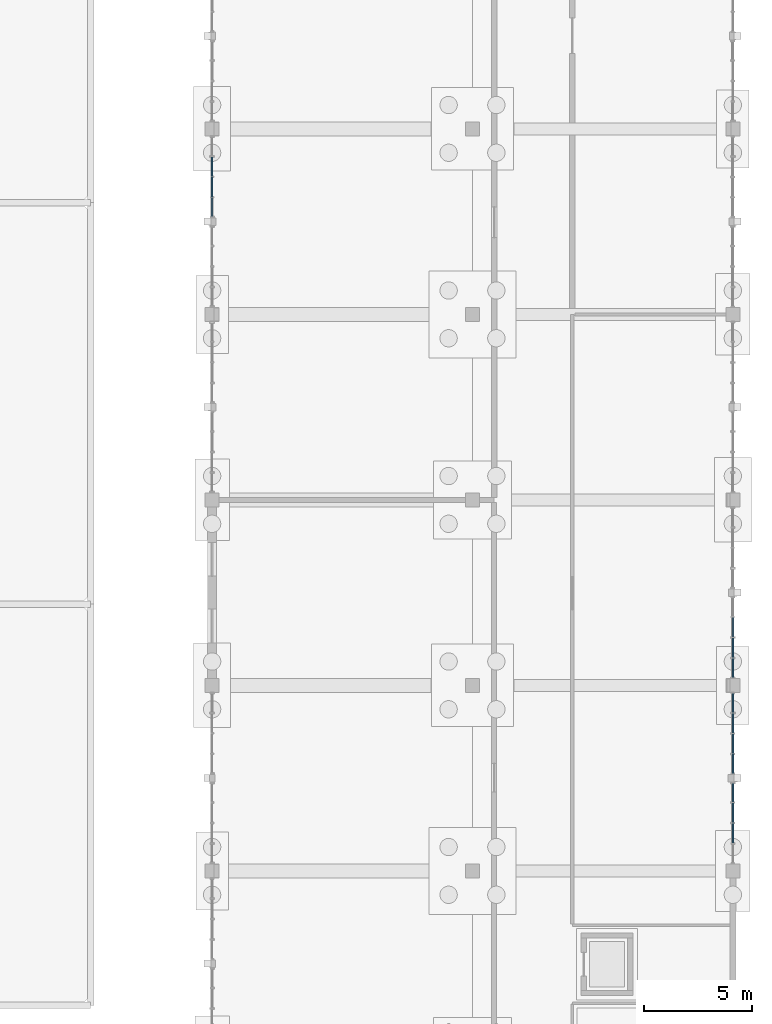
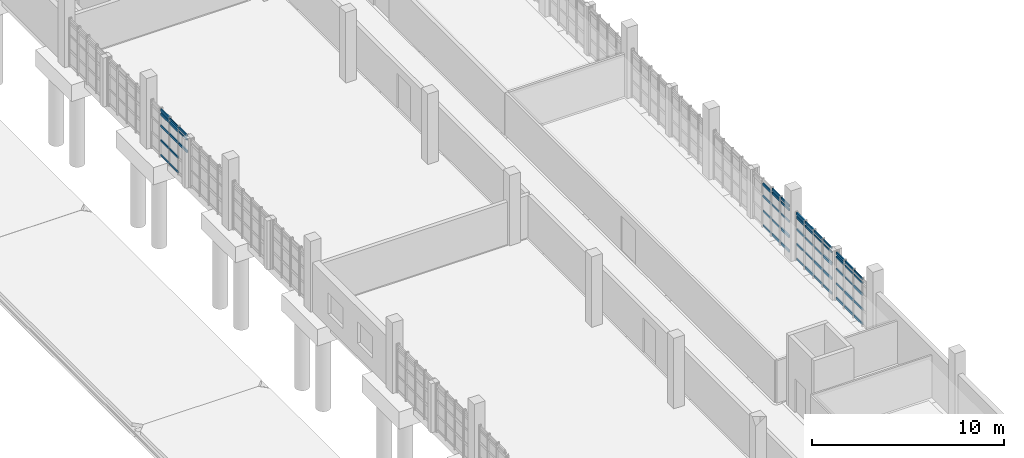
# One storey, part 73 of 125: 62 members, 4 elements without a shape of their own.
"""IFC4 building model written with IfcOpenShell, lengths in metres."""

from ifc_helpers import new_model, si_unit, direction, frame, origin, origin_2d, place, context, subcontext, project, spatial, rectangle, extrude, material, material_profile, profile_set, type_object, element, aggregate, save


model = new_model("IFC4")

# Units and contexts
model_context = context("Model", 3, precision=1e-05, world=origin(), true_north=direction((0.0, 1.0)))
body_context = subcontext(model_context, "Body", "Model", "MODEL_VIEW")
ifc_project = project(units=[si_unit("LENGTHUNIT", "METRE"), si_unit("AREAUNIT", "SQUARE_METRE"), si_unit("VOLUMEUNIT", "CUBIC_METRE"), si_unit("PLANEANGLEUNIT", "RADIAN"), si_unit("MASSUNIT", "GRAM", prefix="KILO")], contexts=[model_context])

# Site, building, storey
site_placement = place(None, origin())
site = spatial("IfcSite", under=ifc_project, at=site_placement, CompositionType="ELEMENT")
building_placement = place(site_placement, origin())
building = spatial("IfcBuilding", under=site, at=building_placement, Name="Serraforn Aerial Cableway Station", CompositionType="ELEMENT")
storey_placement = place(building_placement, frame((0.0, 0.0, 4.5)))
storey = spatial("IfcBuildingStorey", under=building, at=storey_placement, Name="L01", CompositionType="ELEMENT", Elevation=4.5)

# Curtain wall, members
ifc_material_1 = material(Name="Anodised bronze unitised curtain wall")
curtain_wall_type_1 = type_object("IfcCurtainWallType", Name="CW-SYS-7", PredefinedType="USERDEFINED", material=ifc_material_1)
curtain_wall_1_placement = place(storey_placement, origin())
curtain_wall_1 = element("IfcCurtainWall", 1, at=curtain_wall_1_placement, inside=storey, type_object=curtain_wall_type_1, Name="Unitised Curtain Wall CW-EG-L01-E3A", ObjectType="UNITISED CURTAIN WALL", PredefinedType="USERDEFINED")
ifc_material_2 = material(Name="Anodised bronze extruded aluminium", Category="aluminium")
ifc_material_profile_1 = material_profile(ifc_material_2, rectangle(XDim=0.054931640625, YDim=0.110107421875, at=origin_2d()), Name="CW TRANSOM 55x110")
ifc_profile_set_1 = profile_set([ifc_material_profile_1], Name="Anodised bronze extruded aluminium")
member_type_1 = type_object("IfcMemberType", Name="CW-TRN-1", PredefinedType="USERDEFINED", material=ifc_profile_set_1)
member_1_placement = place(storey_placement, frame((168.0, 63.993896484375, 2.74560546875), z_axis=(0.0, 1.0, 0.0), x_axis=(-1.0, 0.0, 0.0)))
member_1 = element("IfcMember", 2, at=member_1_placement, type_object=member_type_1, Name="Curtain Wall Transom CW-EG-L01-E3A-T2-4", ObjectType="TRANSOM", PredefinedType="USERDEFINED", context=body_context, shape_type="SweptSolid", body=[
    extrude(rectangle(XDim=0.054931640625, YDim=0.110107421875, at=origin_2d()), origin(), (0.0, 0.0, 1.0), 0.884521484375),
])
member_2_placement = place(storey_placement, frame((168.0, 64.939453125, 1.996826171875), z_axis=(0.0, 1.0, 0.0), x_axis=(-1.0, 0.0, 0.0)))
member_2 = element("IfcMember", 3, at=member_2_placement, type_object=member_type_1, Name="Curtain Wall Transom CW-EG-L01-E3A-T3-3", ObjectType="TRANSOM", PredefinedType="USERDEFINED", context=body_context, shape_type="SweptSolid", body=[
    extrude(rectangle(XDim=0.054931640625, YDim=0.110107421875, at=origin_2d()), origin(), (0.0, 0.0, 1.0), 0.879638671875),
])
member_3_placement = place(storey_placement, frame((168.0, 65.885009765625, 1.060791015625), z_axis=(0.0, 1.0, 0.0), x_axis=(-1.0, 0.0, 0.0)))
member_3 = element("IfcMember", 4, at=member_3_placement, type_object=member_type_1, Name="Curtain Wall Transom CW-EG-L01-E3A-T4-2", ObjectType="TRANSOM", PredefinedType="USERDEFINED", context=body_context, shape_type="SweptSolid", body=[
    extrude(rectangle(XDim=0.054931640625, YDim=0.110107421875, at=origin_2d()), origin(), (0.0, 0.0, 1.0), 0.8369140625),
])

curtain_wall_type_2 = type_object("IfcCurtainWallType", Name="CW-SYS-8", PredefinedType="USERDEFINED", material=ifc_material_1)
curtain_wall_2_placement = place(storey_placement, origin())
curtain_wall_2 = element("IfcCurtainWall", 5, at=curtain_wall_2_placement, inside=storey, type_object=curtain_wall_type_2, Name="Unitised Curtain Wall CW-EG-L01-E3B", ObjectType="UNITISED CURTAIN WALL", PredefinedType="USERDEFINED")
member_4_placement = place(storey_placement, frame((168.0, 67.212890625, 2.74560546875), z_axis=(0.0, 1.0, 0.0), x_axis=(-1.0, 0.0, 0.0)))
member_4 = element("IfcMember", 6, at=member_4_placement, type_object=member_type_1, Name="Curtain Wall Transom CW-EG-L01-E3B-T1-4", ObjectType="TRANSOM", PredefinedType="USERDEFINED", context=body_context, shape_type="SweptSolid", body=[
    extrude(rectangle(XDim=0.054931640625, YDim=0.110107421875, at=origin_2d()), origin(), (0.0, 0.0, 1.0), 0.8544921875),
])
member_5_placement = place(storey_placement, frame((168.0, 68.12841796875, 1.996826171875), z_axis=(0.0, 1.0, 0.0), x_axis=(-1.0, 0.0, 0.0)))
member_5 = element("IfcMember", 7, at=member_5_placement, type_object=member_type_1, Name="Curtain Wall Transom CW-EG-L01-E3B-T2-3", ObjectType="TRANSOM", PredefinedType="USERDEFINED", context=body_context, shape_type="SweptSolid", body=[
    extrude(rectangle(XDim=0.054931640625, YDim=0.110107421875, at=origin_2d()), origin(), (0.0, 0.0, 1.0), 0.879638671875),
])
member_6_placement = place(storey_placement, frame((168.0, 69.073974609375, 1.060791015625), z_axis=(0.0, 1.0, 0.0), x_axis=(-1.0, 0.0, 0.0)))
member_6 = element("IfcMember", 8, at=member_6_placement, type_object=member_type_1, Name="Curtain Wall Transom CW-EG-L01-E3B-T3-2", ObjectType="TRANSOM", PredefinedType="USERDEFINED", context=body_context, shape_type="SweptSolid", body=[
    extrude(rectangle(XDim=0.054931640625, YDim=0.110107421875, at=origin_2d()), origin(), (0.0, 0.0, 1.0), 0.87451171875),
])
member_7_placement = place(storey_placement, frame((168.0, 70.01953125, 0.124755859375), z_axis=(0.0, 1.0, 0.0), x_axis=(-1.0, 0.0, 0.0)))
member_7 = element("IfcMember", 9, at=member_7_placement, type_object=member_type_1, Name="Curtain Wall Transom CW-EG-L01-E3B-T4-1", ObjectType="TRANSOM", PredefinedType="USERDEFINED", context=body_context, shape_type="SweptSolid", body=[
    extrude(rectangle(XDim=0.054931640625, YDim=0.110107421875, at=origin_2d()), origin(), (0.0, 0.0, 1.0), 0.8544921875),
])

curtain_wall_type_3 = type_object("IfcCurtainWallType", Name="CW-SYS-9", PredefinedType="USERDEFINED", material=ifc_material_1)
curtain_wall_3_placement = place(storey_placement, origin())
curtain_wall_3 = element("IfcCurtainWall", 10, at=curtain_wall_3_placement, inside=storey, type_object=curtain_wall_type_3, Name="Unitised Curtain Wall CW-EG-L01-E4A", ObjectType="UNITISED CURTAIN WALL", PredefinedType="USERDEFINED")
member_8_placement = place(storey_placement, frame((168.0, 71.635986328125, 1.996826171875), z_axis=(0.0, 1.0, 0.0), x_axis=(-1.0, 0.0, 0.0)))
member_8 = element("IfcMember", 11, at=member_8_placement, type_object=member_type_1, Name="Curtain Wall Transom CW-EG-L01-E4A-T1-3", ObjectType="TRANSOM", PredefinedType="USERDEFINED", context=body_context, shape_type="SweptSolid", body=[
    extrude(rectangle(XDim=0.054931640625, YDim=0.110107421875, at=origin_2d()), origin(), (0.0, 0.0, 1.0), 0.846923828125),
])
member_9_placement = place(storey_placement, frame((168.0, 72.549072265625, 1.060791015625), z_axis=(0.0, 1.0, 0.0), x_axis=(-1.0, 0.0, 0.0)))
member_9 = element("IfcMember", 12, at=member_9_placement, type_object=member_type_1, Name="Curtain Wall Transom CW-EG-L01-E4A-T2-2", ObjectType="TRANSOM", PredefinedType="USERDEFINED", context=body_context, shape_type="SweptSolid", body=[
    extrude(rectangle(XDim=0.054931640625, YDim=0.110107421875, at=origin_2d()), origin(), (0.0, 0.0, 1.0), 0.87451171875),
])
member_10_placement = place(storey_placement, frame((168.0, 73.494384765625, 0.124755859375), z_axis=(0.0, 1.0, 0.0), x_axis=(-1.0, 0.0, 0.0)))
member_10 = element("IfcMember", 13, at=member_10_placement, type_object=member_type_1, Name="Curtain Wall Transom CW-EG-L01-E4A-T3-1", ObjectType="TRANSOM", PredefinedType="USERDEFINED", context=body_context, shape_type="SweptSolid", body=[
    extrude(rectangle(XDim=0.054931640625, YDim=0.110107421875, at=origin_2d()), origin(), (0.0, 0.0, 1.0), 0.882080078125),
])

curtain_wall_type_4 = type_object("IfcCurtainWallType", Name="CW-SYS-15", PredefinedType="USERDEFINED", material=ifc_material_1)
curtain_wall_4_placement = place(storey_placement, origin())
curtain_wall_4 = element("IfcCurtainWall", 14, at=curtain_wall_4_placement, inside=storey, type_object=curtain_wall_type_4, Name="Unitised Curtain Wall CW-EG-L01-W6A", ObjectType="UNITISED CURTAIN WALL", PredefinedType="USERDEFINED")
member_11_placement = place(storey_placement, frame((144.0, 95.598388671875, 0.124755859375), z_axis=(0.0, -1.0, 0.0), x_axis=(1.0, 0.0, 0.0)))
member_11 = element("IfcMember", 15, at=member_11_placement, type_object=member_type_1, Name="Curtain Wall Transom CW-EG-L01-W6A-T2-1", ObjectType="TRANSOM", PredefinedType="USERDEFINED", context=body_context, shape_type="SweptSolid", body=[
    extrude(rectangle(XDim=0.054931640625, YDim=0.110107421875, at=origin_2d()), origin(), (0.0, 0.0, 1.0), 0.8818359375),
])
member_12_placement = place(storey_placement, frame((144.0, 94.66552734375, 2.9951171875), z_axis=(0.0, -1.0, 0.0), x_axis=(1.0, 0.0, 0.0)))
member_12 = element("IfcMember", 16, at=member_12_placement, type_object=member_type_1, Name="Curtain Wall Transom CW-EG-L01-W6A-T3-5", ObjectType="TRANSOM", PredefinedType="USERDEFINED", context=body_context, shape_type="SweptSolid", body=[
    extrude(rectangle(XDim=0.054931640625, YDim=0.110107421875, at=origin_2d()), origin(), (0.0, 0.0, 1.0), 0.8896484375),
])
member_13_placement = place(storey_placement, frame((144.0, 93.719970703125, 2.74560546875), z_axis=(0.0, -1.0, 0.0), x_axis=(1.0, 0.0, 0.0)))
member_13 = element("IfcMember", 17, at=member_13_placement, type_object=member_type_1, Name="Curtain Wall Transom CW-EG-L01-W6A-T4-4", ObjectType="TRANSOM", PredefinedType="USERDEFINED", context=body_context, shape_type="SweptSolid", body=[
    extrude(rectangle(XDim=0.054931640625, YDim=0.110107421875, at=origin_2d()), origin(), (0.0, 0.0, 1.0), 0.85205078125),
])

# Member
ifc_material_profile_2 = material_profile(ifc_material_2, rectangle(XDim=0.06005859375, YDim=0.1201171875, at=origin_2d()), Name="CW TRANSOM 60x120")
ifc_profile_set_2 = profile_set([ifc_material_profile_2], Name="Anodised bronze extruded aluminium")
member_type_2 = type_object("IfcMemberType", Name="CW-TRN-2", PredefinedType="USERDEFINED", material=ifc_profile_set_2)
member_14_placement = place(storey_placement, frame((168.0, 63.993896484375, 2.9951171875), z_axis=(0.0, 1.0, 0.0), x_axis=(-1.0, 0.0, 0.0)))
member_14 = element("IfcMember", 18, at=member_14_placement, type_object=member_type_2, Name="Curtain Wall Transom CW-EG-L01-E3A-T2-5", ObjectType="TRANSOM", PredefinedType="USERDEFINED", context=body_context, shape_type="SweptSolid", body=[
    extrude(rectangle(XDim=0.06005859375, YDim=0.1201171875, at=origin_2d()), origin(), (0.0, 0.0, 1.0), 0.884521484375),
])

member_15_placement = place(storey_placement, frame((168.0, 64.939453125, 2.74560546875), z_axis=(0.0, 1.0, 0.0), x_axis=(-1.0, 0.0, 0.0)))
member_15 = element("IfcMember", 19, at=member_15_placement, type_object=member_type_2, Name="Curtain Wall Transom CW-EG-L01-E3A-T3-4", ObjectType="TRANSOM", PredefinedType="USERDEFINED", context=body_context, shape_type="SweptSolid", body=[
    extrude(rectangle(XDim=0.06005859375, YDim=0.1201171875, at=origin_2d()), origin(), (0.0, 0.0, 1.0), 0.879638671875),
])

member_16_placement = place(storey_placement, frame((168.0, 65.885009765625, 1.996826171875), z_axis=(0.0, 1.0, 0.0), x_axis=(-1.0, 0.0, 0.0)))
member_16 = element("IfcMember", 20, at=member_16_placement, type_object=member_type_2, Name="Curtain Wall Transom CW-EG-L01-E3A-T4-3", ObjectType="TRANSOM", PredefinedType="USERDEFINED", context=body_context, shape_type="SweptSolid", body=[
    extrude(rectangle(XDim=0.06005859375, YDim=0.1201171875, at=origin_2d()), origin(), (0.0, 0.0, 1.0), 0.8369140625),
])

member_17_placement = place(storey_placement, frame((168.0, 67.212890625, 2.9951171875), z_axis=(0.0, 1.0, 0.0), x_axis=(-1.0, 0.0, 0.0)))
member_17 = element("IfcMember", 21, at=member_17_placement, type_object=member_type_2, Name="Curtain Wall Transom CW-EG-L01-E3B-T1-5", ObjectType="TRANSOM", PredefinedType="USERDEFINED", context=body_context, shape_type="SweptSolid", body=[
    extrude(rectangle(XDim=0.06005859375, YDim=0.1201171875, at=origin_2d()), origin(), (0.0, 0.0, 1.0), 0.8544921875),
])

member_18_placement = place(storey_placement, frame((168.0, 68.12841796875, 2.74560546875), z_axis=(0.0, 1.0, 0.0), x_axis=(-1.0, 0.0, 0.0)))
member_18 = element("IfcMember", 22, at=member_18_placement, type_object=member_type_2, Name="Curtain Wall Transom CW-EG-L01-E3B-T2-4", ObjectType="TRANSOM", PredefinedType="USERDEFINED", context=body_context, shape_type="SweptSolid", body=[
    extrude(rectangle(XDim=0.06005859375, YDim=0.1201171875, at=origin_2d()), origin(), (0.0, 0.0, 1.0), 0.879638671875),
])

member_19_placement = place(storey_placement, frame((168.0, 69.073974609375, 1.996826171875), z_axis=(0.0, 1.0, 0.0), x_axis=(-1.0, 0.0, 0.0)))
member_19 = element("IfcMember", 23, at=member_19_placement, type_object=member_type_2, Name="Curtain Wall Transom CW-EG-L01-E3B-T3-3", ObjectType="TRANSOM", PredefinedType="USERDEFINED", context=body_context, shape_type="SweptSolid", body=[
    extrude(rectangle(XDim=0.06005859375, YDim=0.1201171875, at=origin_2d()), origin(), (0.0, 0.0, 1.0), 0.87451171875),
])

member_20_placement = place(storey_placement, frame((168.0, 70.01953125, 1.060791015625), z_axis=(0.0, 1.0, 0.0), x_axis=(-1.0, 0.0, 0.0)))
member_20 = element("IfcMember", 24, at=member_20_placement, type_object=member_type_2, Name="Curtain Wall Transom CW-EG-L01-E3B-T4-2", ObjectType="TRANSOM", PredefinedType="USERDEFINED", context=body_context, shape_type="SweptSolid", body=[
    extrude(rectangle(XDim=0.06005859375, YDim=0.1201171875, at=origin_2d()), origin(), (0.0, 0.0, 1.0), 0.8544921875),
])

member_21_placement = place(storey_placement, frame((168.0, 71.635986328125, 2.74560546875), z_axis=(0.0, 1.0, 0.0), x_axis=(-1.0, 0.0, 0.0)))
member_21 = element("IfcMember", 25, at=member_21_placement, type_object=member_type_2, Name="Curtain Wall Transom CW-EG-L01-E4A-T1-4", ObjectType="TRANSOM", PredefinedType="USERDEFINED", context=body_context, shape_type="SweptSolid", body=[
    extrude(rectangle(XDim=0.06005859375, YDim=0.1201171875, at=origin_2d()), origin(), (0.0, 0.0, 1.0), 0.846923828125),
])

member_22_placement = place(storey_placement, frame((168.0, 72.549072265625, 1.996826171875), z_axis=(0.0, 1.0, 0.0), x_axis=(-1.0, 0.0, 0.0)))
member_22 = element("IfcMember", 26, at=member_22_placement, type_object=member_type_2, Name="Curtain Wall Transom CW-EG-L01-E4A-T2-3", ObjectType="TRANSOM", PredefinedType="USERDEFINED", context=body_context, shape_type="SweptSolid", body=[
    extrude(rectangle(XDim=0.06005859375, YDim=0.1201171875, at=origin_2d()), origin(), (0.0, 0.0, 1.0), 0.87451171875),
])

member_23_placement = place(storey_placement, frame((168.0, 73.494384765625, 1.060791015625), z_axis=(0.0, 1.0, 0.0), x_axis=(-1.0, 0.0, 0.0)))
member_23 = element("IfcMember", 27, at=member_23_placement, type_object=member_type_2, Name="Curtain Wall Transom CW-EG-L01-E4A-T3-2", ObjectType="TRANSOM", PredefinedType="USERDEFINED", context=body_context, shape_type="SweptSolid", body=[
    extrude(rectangle(XDim=0.06005859375, YDim=0.1201171875, at=origin_2d()), origin(), (0.0, 0.0, 1.0), 0.882080078125),
])

member_24_placement = place(storey_placement, frame((144.0, 95.598388671875, 1.060791015625), z_axis=(0.0, -1.0, 0.0), x_axis=(1.0, 0.0, 0.0)))
member_24 = element("IfcMember", 28, at=member_24_placement, type_object=member_type_2, Name="Curtain Wall Transom CW-EG-L01-W6A-T2-2", ObjectType="TRANSOM", PredefinedType="USERDEFINED", context=body_context, shape_type="SweptSolid", body=[
    extrude(rectangle(XDim=0.06005859375, YDim=0.1201171875, at=origin_2d()), origin(), (0.0, 0.0, 1.0), 0.8818359375),
])

member_25_placement = place(storey_placement, frame((144.0, 94.66552734375, 0.124755859375), z_axis=(0.0, -1.0, 0.0), x_axis=(1.0, 0.0, 0.0)))
member_25 = element("IfcMember", 29, at=member_25_placement, type_object=member_type_2, Name="Curtain Wall Transom CW-EG-L01-W6A-T3-1", ObjectType="TRANSOM", PredefinedType="USERDEFINED", context=body_context, shape_type="SweptSolid", body=[
    extrude(rectangle(XDim=0.06005859375, YDim=0.1201171875, at=origin_2d()), origin(), (0.0, 0.0, 1.0), 0.8896484375),
])

member_26_placement = place(storey_placement, frame((144.0, 93.719970703125, 2.9951171875), z_axis=(0.0, -1.0, 0.0), x_axis=(1.0, 0.0, 0.0)))
member_26 = element("IfcMember", 30, at=member_26_placement, type_object=member_type_2, Name="Curtain Wall Transom CW-EG-L01-W6A-T4-5", ObjectType="TRANSOM", PredefinedType="USERDEFINED", context=body_context, shape_type="SweptSolid", body=[
    extrude(rectangle(XDim=0.06005859375, YDim=0.1201171875, at=origin_2d()), origin(), (0.0, 0.0, 1.0), 0.85205078125),
])

ifc_material_profile_3 = material_profile(ifc_material_2, rectangle(XDim=0.06494140625, YDim=0.135009765625, at=origin_2d()), Name="CW TRANSOM 65x135")
ifc_profile_set_3 = profile_set([ifc_material_profile_3], Name="Anodised bronze extruded aluminium")
member_type_3 = type_object("IfcMemberType", Name="CW-TRN-3", PredefinedType="USERDEFINED", material=ifc_profile_set_3)
member_27_placement = place(storey_placement, frame((168.0, 63.993896484375, 0.124755859375), z_axis=(0.0, 1.0, 0.0), x_axis=(-1.0, 0.0, 0.0)))
member_27 = element("IfcMember", 31, at=member_27_placement, type_object=member_type_3, Name="Curtain Wall Transom CW-EG-L01-E3A-T2-1", ObjectType="TRANSOM", PredefinedType="USERDEFINED", context=body_context, shape_type="SweptSolid", body=[
    extrude(rectangle(XDim=0.06494140625, YDim=0.135009765625, at=origin_2d()), origin(), (0.0, 0.0, 1.0), 0.884521484375),
])

member_28_placement = place(storey_placement, frame((168.0, 64.939453125, 2.9951171875), z_axis=(0.0, 1.0, 0.0), x_axis=(-1.0, 0.0, 0.0)))
member_28 = element("IfcMember", 32, at=member_28_placement, type_object=member_type_3, Name="Curtain Wall Transom CW-EG-L01-E3A-T3-5", ObjectType="TRANSOM", PredefinedType="USERDEFINED", context=body_context, shape_type="SweptSolid", body=[
    extrude(rectangle(XDim=0.06494140625, YDim=0.135009765625, at=origin_2d()), origin(), (0.0, 0.0, 1.0), 0.879638671875),
])

member_29_placement = place(storey_placement, frame((168.0, 65.885009765625, 2.74560546875), z_axis=(0.0, 1.0, 0.0), x_axis=(-1.0, 0.0, 0.0)))
member_29 = element("IfcMember", 33, at=member_29_placement, type_object=member_type_3, Name="Curtain Wall Transom CW-EG-L01-E3A-T4-4", ObjectType="TRANSOM", PredefinedType="USERDEFINED", context=body_context, shape_type="SweptSolid", body=[
    extrude(rectangle(XDim=0.06494140625, YDim=0.135009765625, at=origin_2d()), origin(), (0.0, 0.0, 1.0), 0.8369140625),
])

member_30_placement = place(storey_placement, frame((168.0, 67.212890625, 0.124755859375), z_axis=(0.0, 1.0, 0.0), x_axis=(-1.0, 0.0, 0.0)))
member_30 = element("IfcMember", 34, at=member_30_placement, type_object=member_type_3, Name="Curtain Wall Transom CW-EG-L01-E3B-T1-1", ObjectType="TRANSOM", PredefinedType="USERDEFINED", context=body_context, shape_type="SweptSolid", body=[
    extrude(rectangle(XDim=0.06494140625, YDim=0.135009765625, at=origin_2d()), origin(), (0.0, 0.0, 1.0), 0.8544921875),
])

member_31_placement = place(storey_placement, frame((168.0, 68.12841796875, 2.9951171875), z_axis=(0.0, 1.0, 0.0), x_axis=(-1.0, 0.0, 0.0)))
member_31 = element("IfcMember", 35, at=member_31_placement, type_object=member_type_3, Name="Curtain Wall Transom CW-EG-L01-E3B-T2-5", ObjectType="TRANSOM", PredefinedType="USERDEFINED", context=body_context, shape_type="SweptSolid", body=[
    extrude(rectangle(XDim=0.06494140625, YDim=0.135009765625, at=origin_2d()), origin(), (0.0, 0.0, 1.0), 0.879638671875),
])

member_32_placement = place(storey_placement, frame((168.0, 69.073974609375, 2.74560546875), z_axis=(0.0, 1.0, 0.0), x_axis=(-1.0, 0.0, 0.0)))
member_32 = element("IfcMember", 36, at=member_32_placement, type_object=member_type_3, Name="Curtain Wall Transom CW-EG-L01-E3B-T3-4", ObjectType="TRANSOM", PredefinedType="USERDEFINED", context=body_context, shape_type="SweptSolid", body=[
    extrude(rectangle(XDim=0.06494140625, YDim=0.135009765625, at=origin_2d()), origin(), (0.0, 0.0, 1.0), 0.87451171875),
])

member_33_placement = place(storey_placement, frame((168.0, 70.01953125, 1.996826171875), z_axis=(0.0, 1.0, 0.0), x_axis=(-1.0, 0.0, 0.0)))
member_33 = element("IfcMember", 37, at=member_33_placement, type_object=member_type_3, Name="Curtain Wall Transom CW-EG-L01-E3B-T4-3", ObjectType="TRANSOM", PredefinedType="USERDEFINED", context=body_context, shape_type="SweptSolid", body=[
    extrude(rectangle(XDim=0.06494140625, YDim=0.135009765625, at=origin_2d()), origin(), (0.0, 0.0, 1.0), 0.8544921875),
])

member_34_placement = place(storey_placement, frame((168.0, 71.635986328125, 2.9951171875), z_axis=(0.0, 1.0, 0.0), x_axis=(-1.0, 0.0, 0.0)))
member_34 = element("IfcMember", 38, at=member_34_placement, type_object=member_type_3, Name="Curtain Wall Transom CW-EG-L01-E4A-T1-5", ObjectType="TRANSOM", PredefinedType="USERDEFINED", context=body_context, shape_type="SweptSolid", body=[
    extrude(rectangle(XDim=0.06494140625, YDim=0.135009765625, at=origin_2d()), origin(), (0.0, 0.0, 1.0), 0.846923828125),
])

member_35_placement = place(storey_placement, frame((168.0, 72.549072265625, 2.74560546875), z_axis=(0.0, 1.0, 0.0), x_axis=(-1.0, 0.0, 0.0)))
member_35 = element("IfcMember", 39, at=member_35_placement, type_object=member_type_3, Name="Curtain Wall Transom CW-EG-L01-E4A-T2-4", ObjectType="TRANSOM", PredefinedType="USERDEFINED", context=body_context, shape_type="SweptSolid", body=[
    extrude(rectangle(XDim=0.06494140625, YDim=0.135009765625, at=origin_2d()), origin(), (0.0, 0.0, 1.0), 0.87451171875),
])

member_36_placement = place(storey_placement, frame((168.0, 73.494384765625, 1.996826171875), z_axis=(0.0, 1.0, 0.0), x_axis=(-1.0, 0.0, 0.0)))
member_36 = element("IfcMember", 40, at=member_36_placement, type_object=member_type_3, Name="Curtain Wall Transom CW-EG-L01-E4A-T3-3", ObjectType="TRANSOM", PredefinedType="USERDEFINED", context=body_context, shape_type="SweptSolid", body=[
    extrude(rectangle(XDim=0.06494140625, YDim=0.135009765625, at=origin_2d()), origin(), (0.0, 0.0, 1.0), 0.882080078125),
])

member_37_placement = place(storey_placement, frame((144.0, 95.598388671875, 1.996826171875), z_axis=(0.0, -1.0, 0.0), x_axis=(1.0, 0.0, 0.0)))
member_37 = element("IfcMember", 41, at=member_37_placement, type_object=member_type_3, Name="Curtain Wall Transom CW-EG-L01-W6A-T2-3", ObjectType="TRANSOM", PredefinedType="USERDEFINED", context=body_context, shape_type="SweptSolid", body=[
    extrude(rectangle(XDim=0.06494140625, YDim=0.135009765625, at=origin_2d()), origin(), (0.0, 0.0, 1.0), 0.8818359375),
])

member_38_placement = place(storey_placement, frame((144.0, 94.66552734375, 1.060791015625), z_axis=(0.0, -1.0, 0.0), x_axis=(1.0, 0.0, 0.0)))
member_38 = element("IfcMember", 42, at=member_38_placement, type_object=member_type_3, Name="Curtain Wall Transom CW-EG-L01-W6A-T3-2", ObjectType="TRANSOM", PredefinedType="USERDEFINED", context=body_context, shape_type="SweptSolid", body=[
    extrude(rectangle(XDim=0.06494140625, YDim=0.135009765625, at=origin_2d()), origin(), (0.0, 0.0, 1.0), 0.8896484375),
])

ifc_material_profile_4 = material_profile(ifc_material_2, rectangle(XDim=0.070068359375, YDim=0.14990234375, at=origin_2d()), Name="CW TRANSOM 70x150")
ifc_profile_set_4 = profile_set([ifc_material_profile_4], Name="Anodised bronze extruded aluminium")
member_type_4 = type_object("IfcMemberType", Name="CW-TRN-4", PredefinedType="USERDEFINED", material=ifc_profile_set_4)
member_39_placement = place(storey_placement, frame((168.0, 63.993896484375, 1.060791015625), z_axis=(0.0, 1.0, 0.0), x_axis=(-1.0, 0.0, 0.0)))
member_39 = element("IfcMember", 43, at=member_39_placement, type_object=member_type_4, Name="Curtain Wall Transom CW-EG-L01-E3A-T2-2", ObjectType="TRANSOM", PredefinedType="USERDEFINED", context=body_context, shape_type="SweptSolid", body=[
    extrude(rectangle(XDim=0.070068359375, YDim=0.14990234375, at=origin_2d()), origin(), (0.0, 0.0, 1.0), 0.884521484375),
])

member_40_placement = place(storey_placement, frame((168.0, 64.939453125, 0.124755859375), z_axis=(0.0, 1.0, 0.0), x_axis=(-1.0, 0.0, 0.0)))
member_40 = element("IfcMember", 44, at=member_40_placement, type_object=member_type_4, Name="Curtain Wall Transom CW-EG-L01-E3A-T3-1", ObjectType="TRANSOM", PredefinedType="USERDEFINED", context=body_context, shape_type="SweptSolid", body=[
    extrude(rectangle(XDim=0.070068359375, YDim=0.14990234375, at=origin_2d()), origin(), (0.0, 0.0, 1.0), 0.879638671875),
])

member_41_placement = place(storey_placement, frame((168.0, 65.885009765625, 2.9951171875), z_axis=(0.0, 1.0, 0.0), x_axis=(-1.0, 0.0, 0.0)))
member_41 = element("IfcMember", 45, at=member_41_placement, type_object=member_type_4, Name="Curtain Wall Transom CW-EG-L01-E3A-T4-5", ObjectType="TRANSOM", PredefinedType="USERDEFINED", context=body_context, shape_type="SweptSolid", body=[
    extrude(rectangle(XDim=0.070068359375, YDim=0.14990234375, at=origin_2d()), origin(), (0.0, 0.0, 1.0), 0.8369140625),
])

member_42_placement = place(storey_placement, frame((168.0, 67.212890625, 1.060791015625), z_axis=(0.0, 1.0, 0.0), x_axis=(-1.0, 0.0, 0.0)))
member_42 = element("IfcMember", 46, at=member_42_placement, type_object=member_type_4, Name="Curtain Wall Transom CW-EG-L01-E3B-T1-2", ObjectType="TRANSOM", PredefinedType="USERDEFINED", context=body_context, shape_type="SweptSolid", body=[
    extrude(rectangle(XDim=0.070068359375, YDim=0.14990234375, at=origin_2d()), origin(), (0.0, 0.0, 1.0), 0.8544921875),
])

member_43_placement = place(storey_placement, frame((168.0, 68.12841796875, 0.124755859375), z_axis=(0.0, 1.0, 0.0), x_axis=(-1.0, 0.0, 0.0)))
member_43 = element("IfcMember", 47, at=member_43_placement, type_object=member_type_4, Name="Curtain Wall Transom CW-EG-L01-E3B-T2-1", ObjectType="TRANSOM", PredefinedType="USERDEFINED", context=body_context, shape_type="SweptSolid", body=[
    extrude(rectangle(XDim=0.070068359375, YDim=0.14990234375, at=origin_2d()), origin(), (0.0, 0.0, 1.0), 0.879638671875),
])

member_44_placement = place(storey_placement, frame((168.0, 69.073974609375, 2.9951171875), z_axis=(0.0, 1.0, 0.0), x_axis=(-1.0, 0.0, 0.0)))
member_44 = element("IfcMember", 48, at=member_44_placement, type_object=member_type_4, Name="Curtain Wall Transom CW-EG-L01-E3B-T3-5", ObjectType="TRANSOM", PredefinedType="USERDEFINED", context=body_context, shape_type="SweptSolid", body=[
    extrude(rectangle(XDim=0.070068359375, YDim=0.14990234375, at=origin_2d()), origin(), (0.0, 0.0, 1.0), 0.87451171875),
])

member_45_placement = place(storey_placement, frame((168.0, 70.01953125, 2.74560546875), z_axis=(0.0, 1.0, 0.0), x_axis=(-1.0, 0.0, 0.0)))
member_45 = element("IfcMember", 49, at=member_45_placement, type_object=member_type_4, Name="Curtain Wall Transom CW-EG-L01-E3B-T4-4", ObjectType="TRANSOM", PredefinedType="USERDEFINED", context=body_context, shape_type="SweptSolid", body=[
    extrude(rectangle(XDim=0.070068359375, YDim=0.14990234375, at=origin_2d()), origin(), (0.0, 0.0, 1.0), 0.8544921875),
])

member_46_placement = place(storey_placement, frame((168.0, 71.635986328125, 0.124755859375), z_axis=(0.0, 1.0, 0.0), x_axis=(-1.0, 0.0, 0.0)))
member_46 = element("IfcMember", 50, at=member_46_placement, type_object=member_type_4, Name="Curtain Wall Transom CW-EG-L01-E4A-T1-1", ObjectType="TRANSOM", PredefinedType="USERDEFINED", context=body_context, shape_type="SweptSolid", body=[
    extrude(rectangle(XDim=0.070068359375, YDim=0.14990234375, at=origin_2d()), origin(), (0.0, 0.0, 1.0), 0.846923828125),
])

member_47_placement = place(storey_placement, frame((168.0, 72.549072265625, 2.9951171875), z_axis=(0.0, 1.0, 0.0), x_axis=(-1.0, 0.0, 0.0)))
member_47 = element("IfcMember", 51, at=member_47_placement, type_object=member_type_4, Name="Curtain Wall Transom CW-EG-L01-E4A-T2-5", ObjectType="TRANSOM", PredefinedType="USERDEFINED", context=body_context, shape_type="SweptSolid", body=[
    extrude(rectangle(XDim=0.070068359375, YDim=0.14990234375, at=origin_2d()), origin(), (0.0, 0.0, 1.0), 0.87451171875),
])

member_48_placement = place(storey_placement, frame((168.0, 73.494384765625, 2.74560546875), z_axis=(0.0, 1.0, 0.0), x_axis=(-1.0, 0.0, 0.0)))
member_48 = element("IfcMember", 52, at=member_48_placement, type_object=member_type_4, Name="Curtain Wall Transom CW-EG-L01-E4A-T3-4", ObjectType="TRANSOM", PredefinedType="USERDEFINED", context=body_context, shape_type="SweptSolid", body=[
    extrude(rectangle(XDim=0.070068359375, YDim=0.14990234375, at=origin_2d()), origin(), (0.0, 0.0, 1.0), 0.882080078125),
])

member_49_placement = place(storey_placement, frame((144.0, 95.598388671875, 2.74560546875), z_axis=(0.0, -1.0, 0.0), x_axis=(1.0, 0.0, 0.0)))
member_49 = element("IfcMember", 53, at=member_49_placement, type_object=member_type_4, Name="Curtain Wall Transom CW-EG-L01-W6A-T2-4", ObjectType="TRANSOM", PredefinedType="USERDEFINED", context=body_context, shape_type="SweptSolid", body=[
    extrude(rectangle(XDim=0.070068359375, YDim=0.14990234375, at=origin_2d()), origin(), (0.0, 0.0, 1.0), 0.8818359375),
])

member_50_placement = place(storey_placement, frame((144.0, 94.66552734375, 1.996826171875), z_axis=(0.0, -1.0, 0.0), x_axis=(1.0, 0.0, 0.0)))
member_50 = element("IfcMember", 54, at=member_50_placement, type_object=member_type_4, Name="Curtain Wall Transom CW-EG-L01-W6A-T3-3", ObjectType="TRANSOM", PredefinedType="USERDEFINED", context=body_context, shape_type="SweptSolid", body=[
    extrude(rectangle(XDim=0.070068359375, YDim=0.14990234375, at=origin_2d()), origin(), (0.0, 0.0, 1.0), 0.8896484375),
])

ifc_material_profile_5 = material_profile(ifc_material_2, rectangle(XDim=0.074951171875, YDim=0.1650390625, at=origin_2d()), Name="CW TRANSOM 75x165")
ifc_profile_set_5 = profile_set([ifc_material_profile_5], Name="Anodised bronze extruded aluminium")
member_type_5 = type_object("IfcMemberType", Name="CW-TRN-5", PredefinedType="USERDEFINED", material=ifc_profile_set_5)
member_51_placement = place(storey_placement, frame((168.0, 63.993896484375, 1.996826171875), z_axis=(0.0, 1.0, 0.0), x_axis=(-1.0, 0.0, 0.0)))
member_51 = element("IfcMember", 55, at=member_51_placement, type_object=member_type_5, Name="Curtain Wall Transom CW-EG-L01-E3A-T2-3", ObjectType="TRANSOM", PredefinedType="USERDEFINED", context=body_context, shape_type="SweptSolid", body=[
    extrude(rectangle(XDim=0.074951171875, YDim=0.1650390625, at=origin_2d()), origin(), (0.0, 0.0, 1.0), 0.884521484375),
])

member_52_placement = place(storey_placement, frame((168.0, 64.939453125, 1.060791015625), z_axis=(0.0, 1.0, 0.0), x_axis=(-1.0, 0.0, 0.0)))
member_52 = element("IfcMember", 56, at=member_52_placement, type_object=member_type_5, Name="Curtain Wall Transom CW-EG-L01-E3A-T3-2", ObjectType="TRANSOM", PredefinedType="USERDEFINED", context=body_context, shape_type="SweptSolid", body=[
    extrude(rectangle(XDim=0.074951171875, YDim=0.1650390625, at=origin_2d()), origin(), (0.0, 0.0, 1.0), 0.879638671875),
])

member_53_placement = place(storey_placement, frame((168.0, 65.885009765625, 0.124755859375), z_axis=(0.0, 1.0, 0.0), x_axis=(-1.0, 0.0, 0.0)))
member_53 = element("IfcMember", 57, at=member_53_placement, type_object=member_type_5, Name="Curtain Wall Transom CW-EG-L01-E3A-T4-1", ObjectType="TRANSOM", PredefinedType="USERDEFINED", context=body_context, shape_type="SweptSolid", body=[
    extrude(rectangle(XDim=0.074951171875, YDim=0.1650390625, at=origin_2d()), origin(), (0.0, 0.0, 1.0), 0.8369140625),
])

aggregate(curtain_wall_1, [member_27, member_39, member_51, member_1, member_14, member_40, member_52, member_2, member_15, member_28, member_53, member_3, member_16, member_29, member_41])

member_54_placement = place(storey_placement, frame((168.0, 67.212890625, 1.996826171875), z_axis=(0.0, 1.0, 0.0), x_axis=(-1.0, 0.0, 0.0)))
member_54 = element("IfcMember", 58, at=member_54_placement, type_object=member_type_5, Name="Curtain Wall Transom CW-EG-L01-E3B-T1-3", ObjectType="TRANSOM", PredefinedType="USERDEFINED", context=body_context, shape_type="SweptSolid", body=[
    extrude(rectangle(XDim=0.074951171875, YDim=0.1650390625, at=origin_2d()), origin(), (0.0, 0.0, 1.0), 0.8544921875),
])

member_55_placement = place(storey_placement, frame((168.0, 68.12841796875, 1.060791015625), z_axis=(0.0, 1.0, 0.0), x_axis=(-1.0, 0.0, 0.0)))
member_55 = element("IfcMember", 59, at=member_55_placement, type_object=member_type_5, Name="Curtain Wall Transom CW-EG-L01-E3B-T2-2", ObjectType="TRANSOM", PredefinedType="USERDEFINED", context=body_context, shape_type="SweptSolid", body=[
    extrude(rectangle(XDim=0.074951171875, YDim=0.1650390625, at=origin_2d()), origin(), (0.0, 0.0, 1.0), 0.879638671875),
])

member_56_placement = place(storey_placement, frame((168.0, 69.073974609375, 0.124755859375), z_axis=(0.0, 1.0, 0.0), x_axis=(-1.0, 0.0, 0.0)))
member_56 = element("IfcMember", 60, at=member_56_placement, type_object=member_type_5, Name="Curtain Wall Transom CW-EG-L01-E3B-T3-1", ObjectType="TRANSOM", PredefinedType="USERDEFINED", context=body_context, shape_type="SweptSolid", body=[
    extrude(rectangle(XDim=0.074951171875, YDim=0.1650390625, at=origin_2d()), origin(), (0.0, 0.0, 1.0), 0.87451171875),
])

member_57_placement = place(storey_placement, frame((168.0, 70.01953125, 2.9951171875), z_axis=(0.0, 1.0, 0.0), x_axis=(-1.0, 0.0, 0.0)))
member_57 = element("IfcMember", 61, at=member_57_placement, type_object=member_type_5, Name="Curtain Wall Transom CW-EG-L01-E3B-T4-5", ObjectType="TRANSOM", PredefinedType="USERDEFINED", context=body_context, shape_type="SweptSolid", body=[
    extrude(rectangle(XDim=0.074951171875, YDim=0.1650390625, at=origin_2d()), origin(), (0.0, 0.0, 1.0), 0.8544921875),
])

aggregate(curtain_wall_2, [member_30, member_42, member_54, member_4, member_17, member_43, member_55, member_5, member_18, member_31, member_56, member_6, member_19, member_32, member_44, member_7, member_20, member_33, member_45, member_57])

member_58_placement = place(storey_placement, frame((168.0, 71.635986328125, 1.060791015625), z_axis=(0.0, 1.0, 0.0), x_axis=(-1.0, 0.0, 0.0)))
member_58 = element("IfcMember", 62, at=member_58_placement, type_object=member_type_5, Name="Curtain Wall Transom CW-EG-L01-E4A-T1-2", ObjectType="TRANSOM", PredefinedType="USERDEFINED", context=body_context, shape_type="SweptSolid", body=[
    extrude(rectangle(XDim=0.074951171875, YDim=0.1650390625, at=origin_2d()), origin(), (0.0, 0.0, 1.0), 0.846923828125),
])

member_59_placement = place(storey_placement, frame((168.0, 72.549072265625, 0.124755859375), z_axis=(0.0, 1.0, 0.0), x_axis=(-1.0, 0.0, 0.0)))
member_59 = element("IfcMember", 63, at=member_59_placement, type_object=member_type_5, Name="Curtain Wall Transom CW-EG-L01-E4A-T2-1", ObjectType="TRANSOM", PredefinedType="USERDEFINED", context=body_context, shape_type="SweptSolid", body=[
    extrude(rectangle(XDim=0.074951171875, YDim=0.1650390625, at=origin_2d()), origin(), (0.0, 0.0, 1.0), 0.87451171875),
])

aggregate(curtain_wall_3, [member_46, member_58, member_8, member_21, member_34, member_59, member_9, member_22, member_35, member_47, member_10, member_23, member_36, member_48])

member_60_placement = place(storey_placement, frame((144.0, 95.598388671875, 2.9951171875), z_axis=(0.0, -1.0, 0.0), x_axis=(1.0, 0.0, 0.0)))
member_60 = element("IfcMember", 64, at=member_60_placement, type_object=member_type_5, Name="Curtain Wall Transom CW-EG-L01-W6A-T2-5", ObjectType="TRANSOM", PredefinedType="USERDEFINED", context=body_context, shape_type="SweptSolid", body=[
    extrude(rectangle(XDim=0.074951171875, YDim=0.1650390625, at=origin_2d()), origin(), (0.0, 0.0, 1.0), 0.8818359375),
])

member_61_placement = place(storey_placement, frame((144.0, 94.66552734375, 2.74560546875), z_axis=(0.0, -1.0, 0.0), x_axis=(1.0, 0.0, 0.0)))
member_61 = element("IfcMember", 65, at=member_61_placement, type_object=member_type_5, Name="Curtain Wall Transom CW-EG-L01-W6A-T3-4", ObjectType="TRANSOM", PredefinedType="USERDEFINED", context=body_context, shape_type="SweptSolid", body=[
    extrude(rectangle(XDim=0.074951171875, YDim=0.1650390625, at=origin_2d()), origin(), (0.0, 0.0, 1.0), 0.8896484375),
])

member_62_placement = place(storey_placement, frame((144.0, 93.719970703125, 1.996826171875), z_axis=(0.0, -1.0, 0.0), x_axis=(1.0, 0.0, 0.0)))
member_62 = element("IfcMember", 66, at=member_62_placement, type_object=member_type_5, Name="Curtain Wall Transom CW-EG-L01-W6A-T4-3", ObjectType="TRANSOM", PredefinedType="USERDEFINED", context=body_context, shape_type="SweptSolid", body=[
    extrude(rectangle(XDim=0.074951171875, YDim=0.1650390625, at=origin_2d()), origin(), (0.0, 0.0, 1.0), 0.85205078125),
])

aggregate(curtain_wall_4, [member_11, member_24, member_37, member_49, member_60, member_25, member_38, member_50, member_61, member_12, member_62, member_13, member_26])

save(model, "model.ifc")
